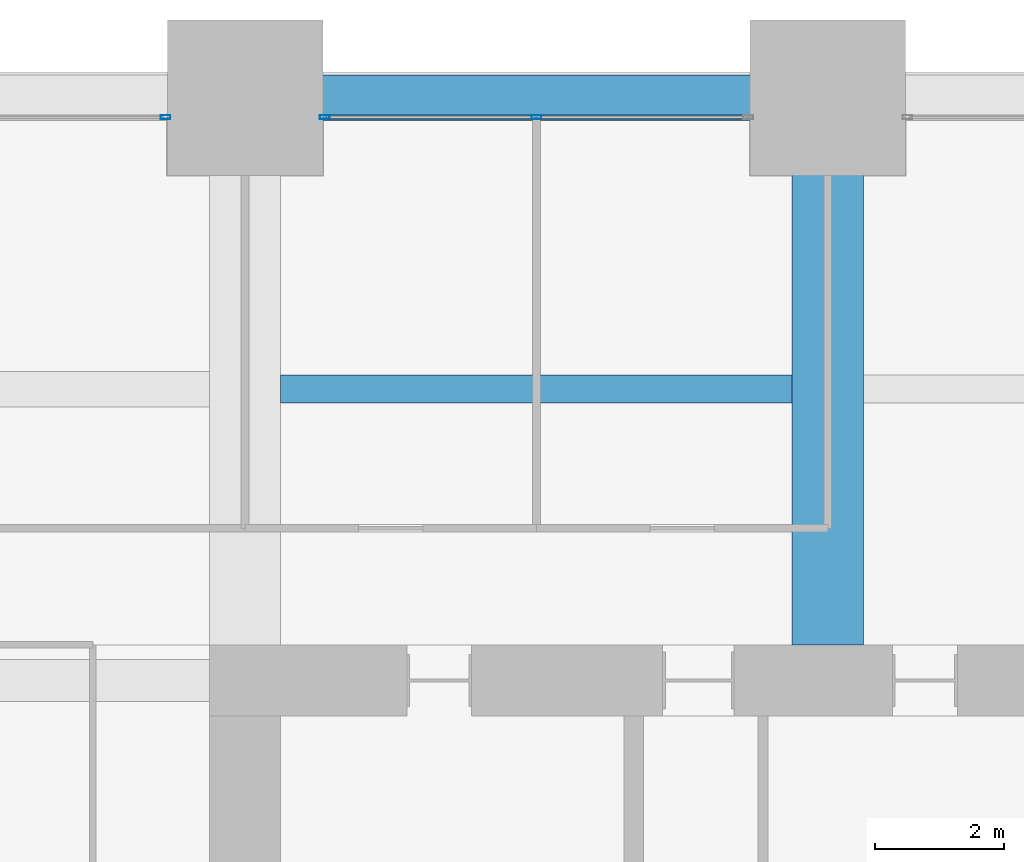
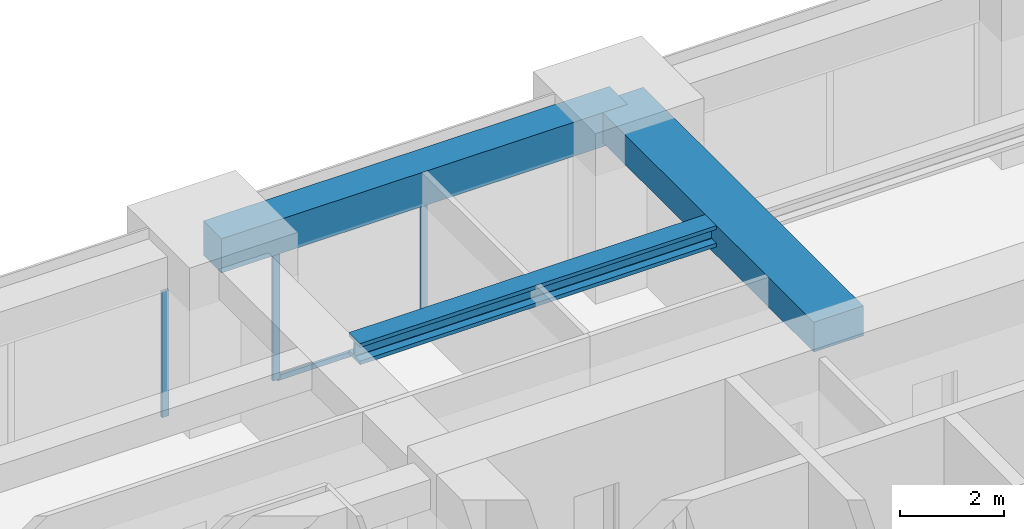
# One storey, part 28 of 41: 4 members, 3 beams, 2 elements without a shape of their own.
"""IFC4 building model written with IfcOpenShell, lengths in metres."""

import ifcopenshell
import ifcopenshell.guid

model = None  # the IFC model being written
_history = None  # IfcOwnerHistory: only IFC2X3 demands one
_inside = {}  # id of a spatial element -> (the spatial element, [elements in it])
_under = {}  # id of a project, library or spatial element -> (it, [spatial elements below it])
_declared = {}  # id of a project -> (the project, [libraries it declares])
_typed = {}  # id of a type object -> (the type object, [elements of that type])
_made_of = {}  # id of a material, layer set ... -> (it, [elements and type objects made of it])


def new_model(schema):
    """Start an empty IFC model of exactly this schema.

    Asked for "IFC4X3", IfcOpenShell would pick the latest addendum, in which some entities
    have other attributes; the version numbers below select the first issue.
    IFC2X3 requires an IfcOwnerHistory on every rooted entity: one is made here for all.
    """
    global model, _history
    if schema == "IFC4X3":
        model = ifcopenshell.file(schema_version=(4, 3, 0, 0))
    else:
        model = ifcopenshell.file(schema=schema)
    _inside.clear()
    _under.clear()
    _declared.clear()
    _typed.clear()
    _made_of.clear()
    _history = None
    if model.schema == "IFC2X3":
        org = make("IfcOrganization", Name="unknown")
        user = make(
            "IfcPersonAndOrganization",
            ThePerson=make("IfcPerson", FamilyName="unknown"),
            TheOrganization=org,
        )
        app = make(
            "IfcApplication",
            ApplicationDeveloper=org,
            Version="unknown",
            ApplicationFullName="unknown",
            ApplicationIdentifier="unknown",
        )
        _history = make(
            "IfcOwnerHistory",
            OwningUser=user,
            OwningApplication=app,
            ChangeAction="ADDED",
            CreationDate=0,
        )
    return model


def make(cls, **values):
    """One entity of the class cls with the attributes given. An attribute that is None is left unset."""
    return model.create_entity(
        cls, **{name: value for name, value in values.items() if value is not None}
    )


def rooted(cls, **values):
    """An entity with a GlobalId (a new one), such as an element, a storey or a relation."""
    return make(cls, GlobalId=ifcopenshell.guid.new(), OwnerHistory=_history, **values)


def si_unit(unit_type, name, prefix=None):
    """IfcSIUnit, for example si_unit("LENGTHUNIT", "METRE", prefix="MILLI")."""
    return make("IfcSIUnit", UnitType=unit_type, Prefix=prefix, Name=name)


def assignment(units):
    """IfcUnitAssignment: the units of a project."""
    return None if units is None else make("IfcUnitAssignment", Units=units)


def point(xyz):
    """IfcCartesianPoint."""
    return None if xyz is None else make("IfcCartesianPoint", Coordinates=xyz)


def direction(xyz):
    """IfcDirection."""
    return None if xyz is None else make("IfcDirection", DirectionRatios=xyz)


def frame(location, z_axis=None, x_axis=None):
    """IfcAxis2Placement3D, a coordinate frame: its origin and axes. An axis left out is left unset."""
    return make(
        "IfcAxis2Placement3D",
        Location=point(location),
        Axis=direction(z_axis),
        RefDirection=direction(x_axis),
    )


def frame_2d(location, x_axis=None):
    """IfcAxis2Placement2D, a coordinate frame in the plane: its origin and x axis."""
    return make(
        "IfcAxis2Placement2D", Location=point(location), RefDirection=direction(x_axis)
    )


def origin():
    """The frame at (0, 0, 0) with its axes left unset."""
    return frame((0.0, 0.0, 0.0))


def origin_2d():
    """The frame at (0, 0) in the plane with its x axis left unset."""
    return frame_2d((0.0, 0.0))


def place(relative_to, where):
    """IfcLocalPlacement: puts the frame where relative to a parent placement (None: the world)."""
    return make(
        "IfcLocalPlacement", PlacementRelTo=relative_to, RelativePlacement=where
    )


def context(
    kind, dimensions, precision=None, world=None, true_north=None, identifier=None
):
    """IfcGeometricRepresentationContext, for example the 3D "Model" context."""
    return make(
        "IfcGeometricRepresentationContext",
        ContextIdentifier=identifier,
        ContextType=kind,
        CoordinateSpaceDimension=dimensions,
        Precision=precision,
        WorldCoordinateSystem=world,
        TrueNorth=true_north,
    )


def subcontext(parent, identifier, kind, view, scale=None):
    """IfcGeometricRepresentationSubContext, for example "Body" below "Model"."""
    return make(
        "IfcGeometricRepresentationSubContext",
        ContextIdentifier=identifier,
        ContextType=kind,
        ParentContext=parent,
        TargetScale=scale,
        TargetView=view,
    )


def project(units=None, contexts=None):
    """IfcProject with its units and contexts."""
    return rooted(
        "IfcProject",
        Name="project",
        RepresentationContexts=contexts,
        UnitsInContext=assignment(units),
    )


def spatial(cls, under=None, at=None, **own):
    """A site, building, storey or space (cls), placed at a placement, below another one or the project."""
    s = rooted(cls, ObjectPlacement=at, **own)
    if under is not None:
        _under.setdefault(under.id(), (under, []))[1].append(s)
    return s


def profile(cls, at=None, kind="AREA", **sizes):
    """A parametric profile (cls). Its sizes go by their IFC names, for example OverallWidth=200.0."""
    return make(cls, ProfileType=kind, Position=at, **sizes)


def rectangle(**sizes):
    """IfcRectangleProfileDef."""
    return profile("IfcRectangleProfileDef", **sizes)


def hollow_rectangle(**sizes):
    """IfcRectangleHollowProfileDef."""
    return profile("IfcRectangleHollowProfileDef", **sizes)


def i_section(**sizes):
    """IfcIShapeProfileDef."""
    return profile("IfcIShapeProfileDef", **sizes)


def extrude(swept, where, along, depth):
    """IfcExtrudedAreaSolid: the profile swept, set in the frame where, extruded along a direction by depth."""
    return make(
        "IfcExtrudedAreaSolid",
        SweptArea=swept,
        Position=where,
        ExtrudedDirection=direction(along),
        Depth=depth,
    )


def shape(context_of_items, identifier, shape_type, items):
    """IfcShapeRepresentation: the items that make up one representation, for example the "Body"."""
    return make(
        "IfcShapeRepresentation",
        ContextOfItems=context_of_items,
        RepresentationIdentifier=identifier,
        RepresentationType=shape_type,
        Items=items,
    )


def material(Name=None, Category=None):
    """IfcMaterial."""
    return make("IfcMaterial", Name=Name, Category=Category)


def material_profile(
    of_material, cross_section, Name=None, Category=None, Priority=None
):
    """IfcMaterialProfile: a cross section and its material."""
    return make(
        "IfcMaterialProfile",
        Name=Name,
        Material=of_material,
        Profile=cross_section,
        Priority=Priority,
        Category=Category,
    )


def profile_set(profiles, Name=None, composite=None):
    """IfcMaterialProfileSet."""
    return make(
        "IfcMaterialProfileSet",
        Name=Name,
        MaterialProfiles=profiles,
        CompositeProfile=composite,
    )


def made_of(thing, what):
    """Note that an element or type object is made of a material, layer set ...; save() writes the relation."""
    if what is not None:
        _made_of.setdefault(what.id(), (what, []))[1].append(thing)
    return thing


def type_object(cls, material=None, **own):
    """A type object (cls), such as IfcWallType, which elements share."""
    return made_of(rooted(cls, **own), material)


def element(
    cls,
    number,
    at=None,
    inside=None,
    cuts=None,
    type_object=None,
    material=None,
    context=None,
    identifier="Body",
    shape_type=None,
    held_by="IfcProductDefinitionShape",
    body=None,
    shapes=None,
    **own,
):
    """One element of the class cls, such as IfcWall. Its Tag is "e" and its number.

    at: its placement. inside: the storey or other place that contains it. cuts: it is an
    opening in that element (IfcRelVoidsElement). A single representation is given by context,
    identifier, shape_type and body (its items); several are given by shapes. held_by: the class
    of the entity that holds the representations. save() writes the other relations.
    """
    e = rooted(cls, Tag="e%d" % number, ObjectPlacement=at, **own)
    if body is not None:
        shapes = [shape(context, identifier, shape_type, body)]
    if shapes is not None:
        e.Representation = make(held_by, Representations=shapes)
    if inside is not None:
        _inside.setdefault(inside.id(), (inside, []))[1].append(e)
    if cuts is not None:
        rooted(
            "IfcRelVoidsElement", RelatingBuildingElement=cuts, RelatedOpeningElement=e
        )
    if type_object is not None:
        _typed.setdefault(type_object.id(), (type_object, []))[1].append(e)
    return made_of(e, material)


def aggregate(whole, parts):
    """IfcRelAggregates: a whole, such as a stair, and the parts it consists of."""
    return rooted("IfcRelAggregates", RelatingObject=whole, RelatedObjects=parts)


def save(model, path):
    """Write the relations noted so far, then the file.

    IfcRelAggregates (storeys below a building ...), IfcRelContainedInSpatialStructure (elements
    in a storey), IfcRelDefinesByType, IfcRelAssociatesMaterial and IfcRelDeclares: one each for
    every whole, place, type object, material and project.
    """
    for whole, parts in _under.values():
        aggregate(whole, parts)
    for where, things in _inside.values():
        rooted(
            "IfcRelContainedInSpatialStructure",
            RelatedElements=things,
            RelatingStructure=where,
        )
    for kind, things in _typed.values():
        rooted("IfcRelDefinesByType", RelatedObjects=things, RelatingType=kind)
    for what, things in _made_of.values():
        rooted("IfcRelAssociatesMaterial", RelatedObjects=things, RelatingMaterial=what)
    for by, libraries in _declared.values():
        rooted("IfcRelDeclares", RelatingContext=by, RelatedDefinitions=libraries)
    model.write(path)


model = new_model("IFC4")

# Units and contexts
model_context = context("Model", 3, precision=1e-05, world=origin(), true_north=direction((0.0, 1.0)))
body_context = subcontext(model_context, "Body", "Model", "MODEL_VIEW")
ifc_project = project(units=[si_unit("LENGTHUNIT", "METRE"), si_unit("AREAUNIT", "SQUARE_METRE"), si_unit("VOLUMEUNIT", "CUBIC_METRE"), si_unit("PLANEANGLEUNIT", "RADIAN"), si_unit("MASSUNIT", "GRAM", prefix="KILO")], contexts=[model_context])

# Site, building, storey
site_placement = place(None, origin())
site = spatial("IfcSite", under=ifc_project, at=site_placement, CompositionType="ELEMENT")
building_placement = place(site_placement, origin())
building = spatial("IfcBuilding", under=site, at=building_placement, Name="Zorevar Civic Tower", CompositionType="ELEMENT")
storey_placement = place(building_placement, frame((0.0, 0.0, 105.0)))
storey = spatial("IfcBuildingStorey", under=building, at=storey_placement, Name="L25", CompositionType="ELEMENT", Elevation=105.0)

# Beam
ifc_material_1 = material(Name="Concrete C50/60", Category="concrete")
ifc_material_profile_1 = material_profile(ifc_material_1, rectangle(XDim=1.10009765625, YDim=0.699951171875, at=origin_2d()), Name="RC 1100x700")
ifc_profile_set_1 = profile_set([ifc_material_profile_1], Name="Concrete C50/60")
beam_type_1 = type_object("IfcBeamType", Name="Beam RC 1100x700", PredefinedType="BEAM", material=ifc_profile_set_1)
beam_1_placement = place(storey_placement, frame((27.0, 36.550048828125, 3.39990234375), z_axis=(0.0, 1.0, 0.0), x_axis=(-1.0, 0.0, 0.0)))
element("IfcBeam", 1, at=beam_1_placement, inside=storey, type_object=beam_type_1, Name="Girder L26", PredefinedType="BEAM", context=body_context, shape_type="SweptSolid", body=[
    extrude(rectangle(XDim=1.10009765625, YDim=0.699951171875, at=origin_2d()), origin(), (0.0, 0.0, 1.0), 8.449951171875),
])

# Curtain wall, member
ifc_material_2 = material(Name="Dark grey solar-control glass in black aluminium frame", Category="aluminium")
curtain_wall_type = type_object("IfcCurtainWallType", Name="Curtain wall CW3 mid zone", PredefinedType="NOTDEFINED", material=ifc_material_2)
curtain_wall_1_placement = place(storey_placement, origin())
curtain_wall_1 = element("IfcCurtainWall", 2, at=curtain_wall_1_placement, inside=storey, type_object=curtain_wall_type, Name="CW3 L25", PredefinedType="NOTDEFINED")
ifc_material_3 = material(Name="Aluminium, black anodised", Category="aluminium")
ifc_material_profile_2 = material_profile(ifc_material_3, hollow_rectangle(XDim=0.06005859375, YDim=0.14990234375, WallThickness=0.00390625, at=origin_2d()), Name="AL 150x60x4")
ifc_profile_set_2 = profile_set([ifc_material_profile_2], Name="Aluminium, black anodised")
member_type_1 = type_object("IfcMemberType", Name="CW3 mullion AL 150x60x4", PredefinedType="MULLION", material=ifc_profile_set_2)
member_1_placement = place(storey_placement, frame((16.77001953125, 44.699951171875, 0.0), z_axis=(0.0, 0.0, 1.0), x_axis=(0.0, 1.0, 0.0)))
member_1 = element("IfcMember", 3, at=member_1_placement, type_object=member_type_1, Name="CW3 mullion 3", PredefinedType="MULLION", context=body_context, shape_type="SweptSolid", body=[
    extrude(hollow_rectangle(XDim=0.06005859375, YDim=0.14990234375, WallThickness=0.00390625, at=origin_2d()), origin(), (0.0, 0.0, 1.0), 2.949951171875),
])
aggregate(curtain_wall_1, [member_1])

# Curtain wall, members
curtain_wall_2_placement = place(storey_placement, origin())
curtain_wall_2 = element("IfcCurtainWall", 4, at=curtain_wall_2_placement, inside=storey, type_object=curtain_wall_type, Name="CW3 L25", PredefinedType="NOTDEFINED")
member_2_placement = place(storey_placement, frame((19.22998046875, 44.699951171875, 0.0), z_axis=(0.0, 0.0, 1.0), x_axis=(0.0, 1.0, 0.0)))
member_2 = element("IfcMember", 5, at=member_2_placement, type_object=member_type_1, Name="CW3 mullion 1", PredefinedType="MULLION", context=body_context, shape_type="SweptSolid", body=[
    extrude(hollow_rectangle(XDim=0.06005859375, YDim=0.14990234375, WallThickness=0.00390625, at=origin_2d()), origin(), (0.0, 0.0, 1.0), 2.949951171875),
])
member_3_placement = place(storey_placement, frame((22.5, 44.699951171875, 0.06005859375), z_axis=(0.0, 0.0, 1.0), x_axis=(0.0, 1.0, 0.0)))
member_3 = element("IfcMember", 6, at=member_3_placement, type_object=member_type_1, Name="CW3 mullion 2", PredefinedType="MULLION", context=body_context, shape_type="SweptSolid", body=[
    extrude(hollow_rectangle(XDim=0.06005859375, YDim=0.14990234375, WallThickness=0.00390625, at=origin_2d()), origin(), (0.0, 0.0, 1.0), 2.889892578125),
])
ifc_material_4 = material(Name="Aluminium, black anodised", Category="aluminium")
ifc_material_profile_3 = material_profile(ifc_material_4, hollow_rectangle(XDim=0.06005859375, YDim=0.1201171875, WallThickness=0.0029296875, at=origin_2d()), Name="AL 120x60x3")
ifc_profile_set_3 = profile_set([ifc_material_profile_3], Name="Aluminium, black anodised")
member_type_2 = type_object("IfcMemberType", Name="CW3 transom AL 120x60x3", PredefinedType="USERDEFINED", material=ifc_profile_set_3)
member_4_placement = place(storey_placement, frame((19.260009765625, 44.699951171875, 0.030029296875), z_axis=(1.0, 0.0, 0.0), x_axis=(0.0, 1.0, 0.0)))
member_4 = element("IfcMember", 7, at=member_4_placement, type_object=member_type_2, Name="CW3 sill transom", ObjectType="TRANSOM", PredefinedType="USERDEFINED", context=body_context, shape_type="SweptSolid", body=[
    extrude(hollow_rectangle(XDim=0.06005859375, YDim=0.1201171875, WallThickness=0.0029296875, at=origin_2d()), origin(), (0.0, 0.0, 1.0), 6.47998046875),
])
aggregate(curtain_wall_2, [member_2, member_3, member_4])

# Beams
ifc_material_5 = material(Name="Steel S460M (HISTAR 460)", Category="steel")
ifc_material_profile_4 = material_profile(ifc_material_5, i_section(OverallWidth=0.431884765625, OverallDepth=0.498046875, WebThickness=0.0556640625, FlangeThickness=0.0888671875, FilletRadius=0.014892578125, at=origin_2d()), Name="HD 400x744")
ifc_profile_set_4 = profile_set([ifc_material_profile_4], Name="Steel S460M (HISTAR 460)")
beam_type_2 = type_object("IfcBeamType", Name="Core bay beam HD 400x744", PredefinedType="BEAM", material=ifc_profile_set_4)
beam_2_placement = place(storey_placement, frame((18.550048828125, 40.5, 3.5009765625), z_axis=(1.0, 0.0, 0.0), x_axis=(0.0, 1.0, 0.0)))
element("IfcBeam", 8, at=beam_2_placement, inside=storey, type_object=beam_type_2, Name="Secondary beam L26", PredefinedType="BEAM", context=body_context, shape_type="SweptSolid", body=[
    extrude(i_section(OverallWidth=0.431884765625, OverallDepth=0.498046875, WebThickness=0.0556640625, FlangeThickness=0.0888671875, FilletRadius=0.014892578125, at=origin_2d()), origin(), (0.0, 0.0, 1.0), 7.89990234375),
])
ifc_material_6 = material(Name="Concrete C50/60", Category="concrete")
ifc_material_profile_5 = material_profile(ifc_material_6, rectangle(XDim=0.699951171875, YDim=0.800048828125, at=origin_2d()), Name="RC 700x800")
ifc_profile_set_5 = profile_set([ifc_material_profile_5], Name="Concrete C50/60")
beam_type_3 = type_object("IfcBeamType", Name="Edge beam RC 700x800", PredefinedType="SPANDREL", material=ifc_profile_set_5)
beam_3_placement = place(storey_placement, frame((18.0, 45.0, 3.35009765625), z_axis=(1.0, 0.0, 0.0), x_axis=(0.0, 1.0, 0.0)))
element("IfcBeam", 9, at=beam_3_placement, inside=storey, type_object=beam_type_3, Name="Edge beam L26", PredefinedType="SPANDREL", context=body_context, shape_type="SweptSolid", body=[
    extrude(rectangle(XDim=0.699951171875, YDim=0.800048828125, at=origin_2d()), origin(), (0.0, 0.0, 1.0), 9.0),
])

save(model, "model.ifc")
